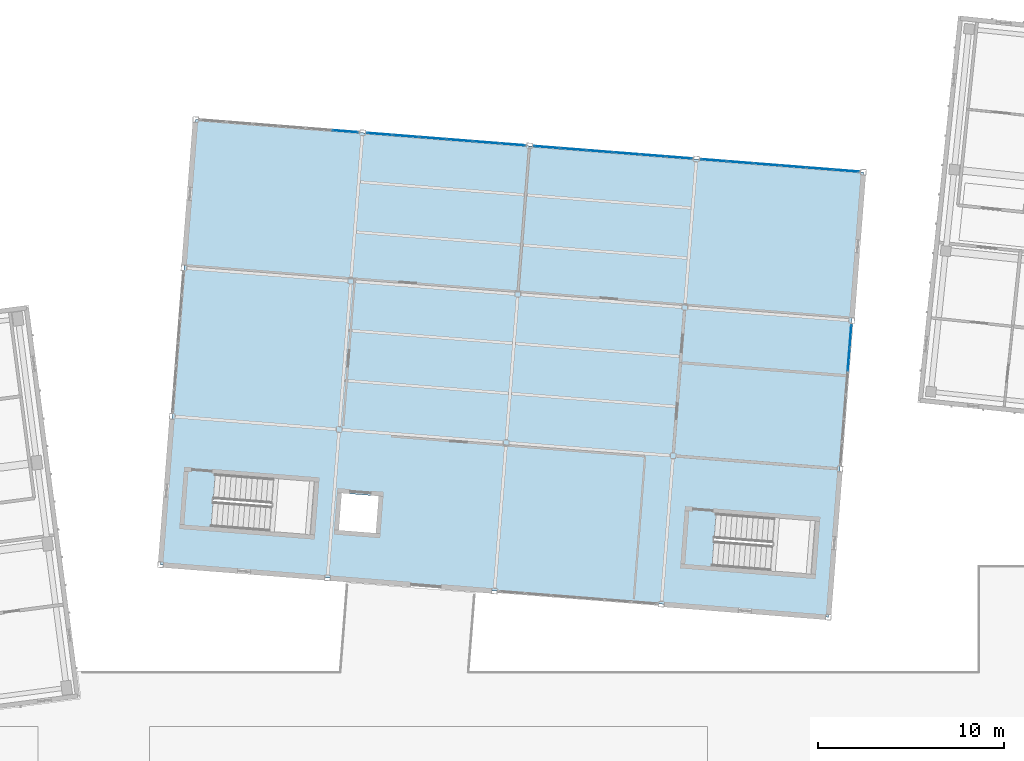
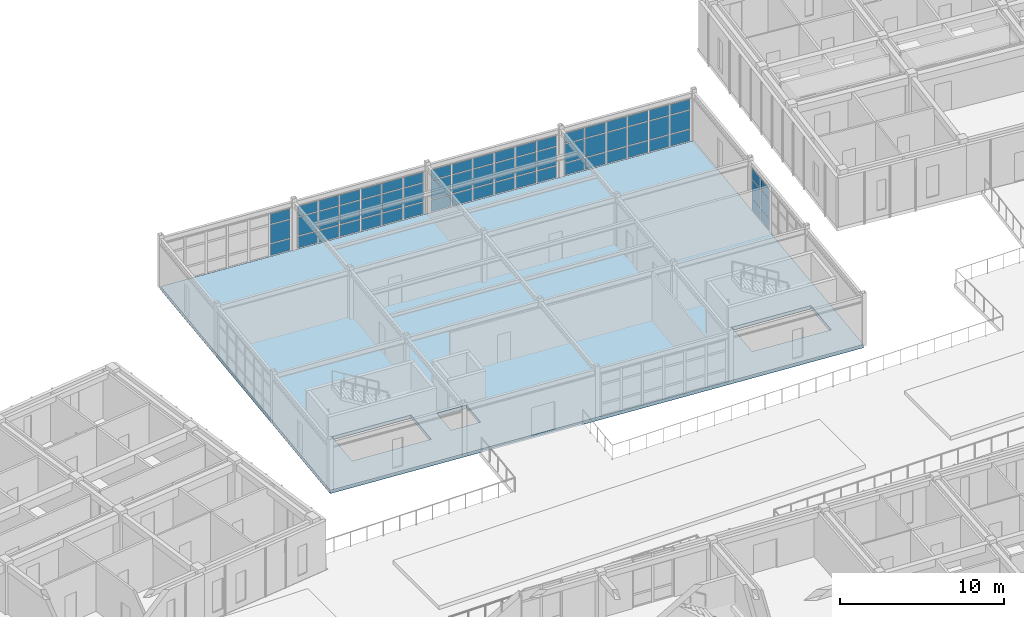
# One storey, part 75 of 150: 63 plates, 1 slab, 5 elements without a shape of their own.
"""IFC4 building model written with IfcOpenShell, lengths in metres."""

from ifc_helpers import new_model, si_unit, direction, frame, origin, origin_2d, place, context, subcontext, project, spatial, polyline, rectangle, outline, extrude, material, layer, layer_set, type_object, element, aggregate, save


model = new_model("IFC4")

# Units and contexts
model_context = context("Model", 3, precision=1e-05, world=origin(), true_north=direction((0.0, 1.0)))
body_context = subcontext(model_context, "Body", "Model", "MODEL_VIEW")
ifc_project = project(units=[si_unit("LENGTHUNIT", "METRE"), si_unit("AREAUNIT", "SQUARE_METRE"), si_unit("VOLUMEUNIT", "CUBIC_METRE"), si_unit("PLANEANGLEUNIT", "RADIAN"), si_unit("MASSUNIT", "GRAM", prefix="KILO")], contexts=[model_context])

# Site, building, storey
site_placement = place(None, origin())
site = spatial("IfcSite", under=ifc_project, at=site_placement, CompositionType="ELEMENT")
building_placement = place(site_placement, origin())
building = spatial("IfcBuilding", under=site, at=building_placement, Name="Kestramere Prow Commons", CompositionType="ELEMENT")
storey_placement = place(building_placement, frame((0.0, 0.0, 4.5)))
storey = spatial("IfcBuildingStorey", under=building, at=storey_placement, Name="L01", CompositionType="ELEMENT", Elevation=4.5)

# Curtain wall, plates
ifc_material_1 = material(Name="Anodised Aluminium and Low-E Glass", Category="aluminium")
curtain_wall_type_1 = type_object("IfcCurtainWallType", Name="CW-15 Glazed Curtain Wall 8600x3230", PredefinedType="USERDEFINED", material=ifc_material_1)
curtain_wall_1_placement = place(storey_placement, origin())
curtain_wall_1 = element("IfcCurtainWall", 1, at=curtain_wall_1_placement, inside=storey, type_object=curtain_wall_type_1, Name="Nursery L01 North Garden Glazing 1", ObjectType="GLAZED CURTAIN WALL", PredefinedType="USERDEFINED")
ifc_material_2 = material(Name="Low-E Laminated Double Glazing", Category="glass")
ifc_layer_1 = layer(ifc_material_2, 0.028076171875)
ifc_layer_set_1 = layer_set([ifc_layer_1], Name="Low-E Laminated Double Glazing")
plate_type = type_object("IfcPlateType", Name="CW-PNL-28", PredefinedType="CURTAIN_PANEL", material=ifc_layer_set_1)
plate_1_placement = place(storey_placement, frame((78.525146484375, 108.79296875, 0.06494140625), z_axis=(0.0, 0.0, 1.0), x_axis=(0.996917335713, -0.078459070568, 0.0)))
plate_1 = element("IfcPlate", 2, at=plate_1_placement, type_object=plate_type, Name="CW-15 panel 6.1", PredefinedType="CURTAIN_PANEL", context=body_context, shape_type="SweptSolid", body=[
    extrude(rectangle(XDim=1.3359375, YDim=0.028076171875, at=origin_2d()), origin(), (0.0, 0.0, 1.0), 0.8525390625),
])
plate_2_placement = place(storey_placement, frame((78.525146484375, 108.79296875, 0.982421875), z_axis=(0.0, 0.0, 1.0), x_axis=(0.996917335713, -0.078459070568, 0.0)))
plate_2 = element("IfcPlate", 3, at=plate_2_placement, type_object=plate_type, Name="CW-15 panel 6.2", PredefinedType="CURTAIN_PANEL", context=body_context, shape_type="SweptSolid", body=[
    extrude(rectangle(XDim=1.3359375, YDim=0.028076171875, at=origin_2d()), origin(), (0.0, 0.0, 1.0), 1.364990234375),
])
plate_3_placement = place(storey_placement, frame((78.525146484375, 108.79296875, 2.41259765625), z_axis=(0.0, 0.0, 1.0), x_axis=(0.996917335713, -0.078459070568, 0.0)))
plate_3 = element("IfcPlate", 4, at=plate_3_placement, type_object=plate_type, Name="CW-15 panel 6.3", PredefinedType="CURTAIN_PANEL", context=body_context, shape_type="SweptSolid", body=[
    extrude(rectangle(XDim=1.3359375, YDim=0.028076171875, at=origin_2d()), origin(), (0.0, 0.0, 1.0), 0.75244140625),
])
aggregate(curtain_wall_1, [plate_1, plate_2, plate_3])

curtain_wall_2_placement = place(storey_placement, origin())
curtain_wall_2 = element("IfcCurtainWall", 5, at=curtain_wall_2_placement, inside=storey, type_object=curtain_wall_type_1, Name="Nursery L01 North Garden Glazing 2", ObjectType="GLAZED CURTAIN WALL", PredefinedType="USERDEFINED")
plate_4_placement = place(storey_placement, frame((80.38525390625, 108.646728515625, 0.06494140625), z_axis=(0.0, 0.0, 1.0), x_axis=(0.996917335713, -0.078459070568, 0.0)))
plate_4 = element("IfcPlate", 6, at=plate_4_placement, type_object=plate_type, Name="CW-15 panel 1.1", PredefinedType="CURTAIN_PANEL", context=body_context, shape_type="SweptSolid", body=[
    extrude(rectangle(XDim=1.3359375, YDim=0.028076171875, at=origin_2d()), origin(), (0.0, 0.0, 1.0), 0.8525390625),
])
plate_5_placement = place(storey_placement, frame((80.38525390625, 108.646728515625, 0.982421875), z_axis=(0.0, 0.0, 1.0), x_axis=(0.996917335713, -0.078459070568, 0.0)))
plate_5 = element("IfcPlate", 7, at=plate_5_placement, type_object=plate_type, Name="CW-15 panel 1.2", PredefinedType="CURTAIN_PANEL", context=body_context, shape_type="SweptSolid", body=[
    extrude(rectangle(XDim=1.3359375, YDim=0.028076171875, at=origin_2d()), origin(), (0.0, 0.0, 1.0), 1.364990234375),
])
plate_6_placement = place(storey_placement, frame((80.38525390625, 108.646728515625, 2.41259765625), z_axis=(0.0, 0.0, 1.0), x_axis=(0.996917335713, -0.078459070568, 0.0)))
plate_6 = element("IfcPlate", 8, at=plate_6_placement, type_object=plate_type, Name="CW-15 panel 1.3", PredefinedType="CURTAIN_PANEL", context=body_context, shape_type="SweptSolid", body=[
    extrude(rectangle(XDim=1.3359375, YDim=0.028076171875, at=origin_2d()), origin(), (0.0, 0.0, 1.0), 0.75244140625),
])
plate_7_placement = place(storey_placement, frame((81.798095703125, 108.535400390625, 0.06494140625), z_axis=(0.0, 0.0, 1.0), x_axis=(0.996917335713, -0.078459070568, 0.0)))
plate_7 = element("IfcPlate", 9, at=plate_7_placement, type_object=plate_type, Name="CW-15 panel 2.1", PredefinedType="CURTAIN_PANEL", context=body_context, shape_type="SweptSolid", body=[
    extrude(rectangle(XDim=1.368408203125, YDim=0.028076171875, at=origin_2d()), origin(), (0.0, 0.0, 1.0), 0.8525390625),
])
plate_8_placement = place(storey_placement, frame((81.798095703125, 108.535400390625, 0.982421875), z_axis=(0.0, 0.0, 1.0), x_axis=(0.996917335713, -0.078459070568, 0.0)))
plate_8 = element("IfcPlate", 10, at=plate_8_placement, type_object=plate_type, Name="CW-15 panel 2.2", PredefinedType="CURTAIN_PANEL", context=body_context, shape_type="SweptSolid", body=[
    extrude(rectangle(XDim=1.368408203125, YDim=0.028076171875, at=origin_2d()), origin(), (0.0, 0.0, 1.0), 1.364990234375),
])
plate_9_placement = place(storey_placement, frame((81.798095703125, 108.535400390625, 2.41259765625), z_axis=(0.0, 0.0, 1.0), x_axis=(0.996917335713, -0.078459070568, 0.0)))
plate_9 = element("IfcPlate", 11, at=plate_9_placement, type_object=plate_type, Name="CW-15 panel 2.3", PredefinedType="CURTAIN_PANEL", context=body_context, shape_type="SweptSolid", body=[
    extrude(rectangle(XDim=1.368408203125, YDim=0.028076171875, at=origin_2d()), origin(), (0.0, 0.0, 1.0), 0.75244140625),
])
plate_10_placement = place(storey_placement, frame((83.22705078125, 108.423095703125, 0.06494140625), z_axis=(0.0, 0.0, 1.0), x_axis=(0.996917335713, -0.078459070568, 0.0)))
plate_10 = element("IfcPlate", 12, at=plate_10_placement, type_object=plate_type, Name="CW-15 panel 3.1", PredefinedType="CURTAIN_PANEL", context=body_context, shape_type="SweptSolid", body=[
    extrude(rectangle(XDim=1.368408203125, YDim=0.028076171875, at=origin_2d()), origin(), (0.0, 0.0, 1.0), 0.8525390625),
])
plate_11_placement = place(storey_placement, frame((83.22705078125, 108.423095703125, 0.982421875), z_axis=(0.0, 0.0, 1.0), x_axis=(0.996917335713, -0.078459070568, 0.0)))
plate_11 = element("IfcPlate", 13, at=plate_11_placement, type_object=plate_type, Name="CW-15 panel 3.2", PredefinedType="CURTAIN_PANEL", context=body_context, shape_type="SweptSolid", body=[
    extrude(rectangle(XDim=1.368408203125, YDim=0.028076171875, at=origin_2d()), origin(), (0.0, 0.0, 1.0), 1.364990234375),
])
plate_12_placement = place(storey_placement, frame((83.22705078125, 108.423095703125, 2.41259765625), z_axis=(0.0, 0.0, 1.0), x_axis=(0.996917335713, -0.078459070568, 0.0)))
plate_12 = element("IfcPlate", 14, at=plate_12_placement, type_object=plate_type, Name="CW-15 panel 3.3", PredefinedType="CURTAIN_PANEL", context=body_context, shape_type="SweptSolid", body=[
    extrude(rectangle(XDim=1.368408203125, YDim=0.028076171875, at=origin_2d()), origin(), (0.0, 0.0, 1.0), 0.75244140625),
])
plate_13_placement = place(storey_placement, frame((84.65576171875, 108.310546875, 0.06494140625), z_axis=(0.0, 0.0, 1.0), x_axis=(0.996917335713, -0.078459070568, 0.0)))
plate_13 = element("IfcPlate", 15, at=plate_13_placement, type_object=plate_type, Name="CW-15 panel 4.1", PredefinedType="CURTAIN_PANEL", context=body_context, shape_type="SweptSolid", body=[
    extrude(rectangle(XDim=1.368408203125, YDim=0.028076171875, at=origin_2d()), origin(), (0.0, 0.0, 1.0), 0.8525390625),
])
plate_14_placement = place(storey_placement, frame((84.65576171875, 108.310546875, 0.982421875), z_axis=(0.0, 0.0, 1.0), x_axis=(0.996917335713, -0.078459070568, 0.0)))
plate_14 = element("IfcPlate", 16, at=plate_14_placement, type_object=plate_type, Name="CW-15 panel 4.2", PredefinedType="CURTAIN_PANEL", context=body_context, shape_type="SweptSolid", body=[
    extrude(rectangle(XDim=1.368408203125, YDim=0.028076171875, at=origin_2d()), origin(), (0.0, 0.0, 1.0), 1.364990234375),
])
plate_15_placement = place(storey_placement, frame((84.65576171875, 108.310546875, 2.41259765625), z_axis=(0.0, 0.0, 1.0), x_axis=(0.996917335713, -0.078459070568, 0.0)))
plate_15 = element("IfcPlate", 17, at=plate_15_placement, type_object=plate_type, Name="CW-15 panel 4.3", PredefinedType="CURTAIN_PANEL", context=body_context, shape_type="SweptSolid", body=[
    extrude(rectangle(XDim=1.368408203125, YDim=0.028076171875, at=origin_2d()), origin(), (0.0, 0.0, 1.0), 0.75244140625),
])
plate_16_placement = place(storey_placement, frame((86.084716796875, 108.1982421875, 0.06494140625), z_axis=(0.0, 0.0, 1.0), x_axis=(0.996917335713, -0.078459070568, 0.0)))
plate_16 = element("IfcPlate", 18, at=plate_16_placement, type_object=plate_type, Name="CW-15 panel 5.1", PredefinedType="CURTAIN_PANEL", context=body_context, shape_type="SweptSolid", body=[
    extrude(rectangle(XDim=1.368408203125, YDim=0.028076171875, at=origin_2d()), origin(), (0.0, 0.0, 1.0), 0.8525390625),
])
plate_17_placement = place(storey_placement, frame((86.084716796875, 108.1982421875, 0.982421875), z_axis=(0.0, 0.0, 1.0), x_axis=(0.996917335713, -0.078459070568, 0.0)))
plate_17 = element("IfcPlate", 19, at=plate_17_placement, type_object=plate_type, Name="CW-15 panel 5.2", PredefinedType="CURTAIN_PANEL", context=body_context, shape_type="SweptSolid", body=[
    extrude(rectangle(XDim=1.368408203125, YDim=0.028076171875, at=origin_2d()), origin(), (0.0, 0.0, 1.0), 1.364990234375),
])
plate_18_placement = place(storey_placement, frame((86.084716796875, 108.1982421875, 2.41259765625), z_axis=(0.0, 0.0, 1.0), x_axis=(0.996917335713, -0.078459070568, 0.0)))
plate_18 = element("IfcPlate", 20, at=plate_18_placement, type_object=plate_type, Name="CW-15 panel 5.3", PredefinedType="CURTAIN_PANEL", context=body_context, shape_type="SweptSolid", body=[
    extrude(rectangle(XDim=1.368408203125, YDim=0.028076171875, at=origin_2d()), origin(), (0.0, 0.0, 1.0), 0.75244140625),
])
plate_19_placement = place(storey_placement, frame((87.49755859375, 108.0869140625, 0.06494140625), z_axis=(0.0, 0.0, 1.0), x_axis=(0.996917335713, -0.078459070568, 0.0)))
plate_19 = element("IfcPlate", 21, at=plate_19_placement, type_object=plate_type, Name="CW-15 panel 6.1", PredefinedType="CURTAIN_PANEL", context=body_context, shape_type="SweptSolid", body=[
    extrude(rectangle(XDim=1.3359375, YDim=0.028076171875, at=origin_2d()), origin(), (0.0, 0.0, 1.0), 0.8525390625),
])
plate_20_placement = place(storey_placement, frame((87.49755859375, 108.0869140625, 0.982421875), z_axis=(0.0, 0.0, 1.0), x_axis=(0.996917335713, -0.078459070568, 0.0)))
plate_20 = element("IfcPlate", 22, at=plate_20_placement, type_object=plate_type, Name="CW-15 panel 6.2", PredefinedType="CURTAIN_PANEL", context=body_context, shape_type="SweptSolid", body=[
    extrude(rectangle(XDim=1.3359375, YDim=0.028076171875, at=origin_2d()), origin(), (0.0, 0.0, 1.0), 1.364990234375),
])
plate_21_placement = place(storey_placement, frame((87.49755859375, 108.0869140625, 2.41259765625), z_axis=(0.0, 0.0, 1.0), x_axis=(0.996917335713, -0.078459070568, 0.0)))
plate_21 = element("IfcPlate", 23, at=plate_21_placement, type_object=plate_type, Name="CW-15 panel 6.3", PredefinedType="CURTAIN_PANEL", context=body_context, shape_type="SweptSolid", body=[
    extrude(rectangle(XDim=1.3359375, YDim=0.028076171875, at=origin_2d()), origin(), (0.0, 0.0, 1.0), 0.75244140625),
])
aggregate(curtain_wall_2, [plate_4, plate_5, plate_6, plate_7, plate_8, plate_9, plate_10, plate_11, plate_12, plate_13, plate_14, plate_15, plate_16, plate_17, plate_18, plate_19, plate_20, plate_21])

curtain_wall_3_placement = place(storey_placement, origin())
curtain_wall_3 = element("IfcCurtainWall", 24, at=curtain_wall_3_placement, inside=storey, type_object=curtain_wall_type_1, Name="Nursery L01 North Garden Glazing 3", ObjectType="GLAZED CURTAIN WALL", PredefinedType="USERDEFINED")
plate_22_placement = place(storey_placement, frame((89.357666015625, 107.940673828125, 0.06494140625), z_axis=(0.0, 0.0, 1.0), x_axis=(0.996917335713, -0.078459070568, 0.0)))
plate_22 = element("IfcPlate", 25, at=plate_22_placement, type_object=plate_type, Name="CW-15 panel 1.1", PredefinedType="CURTAIN_PANEL", context=body_context, shape_type="SweptSolid", body=[
    extrude(rectangle(XDim=1.3359375, YDim=0.028076171875, at=origin_2d()), origin(), (0.0, 0.0, 1.0), 0.8525390625),
])
plate_23_placement = place(storey_placement, frame((89.357666015625, 107.940673828125, 0.982421875), z_axis=(0.0, 0.0, 1.0), x_axis=(0.996917335713, -0.078459070568, 0.0)))
plate_23 = element("IfcPlate", 26, at=plate_23_placement, type_object=plate_type, Name="CW-15 panel 1.2", PredefinedType="CURTAIN_PANEL", context=body_context, shape_type="SweptSolid", body=[
    extrude(rectangle(XDim=1.3359375, YDim=0.028076171875, at=origin_2d()), origin(), (0.0, 0.0, 1.0), 1.364990234375),
])
plate_24_placement = place(storey_placement, frame((89.357666015625, 107.940673828125, 2.41259765625), z_axis=(0.0, 0.0, 1.0), x_axis=(0.996917335713, -0.078459070568, 0.0)))
plate_24 = element("IfcPlate", 27, at=plate_24_placement, type_object=plate_type, Name="CW-15 panel 1.3", PredefinedType="CURTAIN_PANEL", context=body_context, shape_type="SweptSolid", body=[
    extrude(rectangle(XDim=1.3359375, YDim=0.028076171875, at=origin_2d()), origin(), (0.0, 0.0, 1.0), 0.75244140625),
])
plate_25_placement = place(storey_placement, frame((90.770263671875, 107.829345703125, 0.06494140625), z_axis=(0.0, 0.0, 1.0), x_axis=(0.996917335713, -0.078459070568, 0.0)))
plate_25 = element("IfcPlate", 28, at=plate_25_placement, type_object=plate_type, Name="CW-15 panel 2.1", PredefinedType="CURTAIN_PANEL", context=body_context, shape_type="SweptSolid", body=[
    extrude(rectangle(XDim=1.368408203125, YDim=0.028076171875, at=origin_2d()), origin(), (0.0, 0.0, 1.0), 0.8525390625),
])
plate_26_placement = place(storey_placement, frame((90.770263671875, 107.829345703125, 0.982421875), z_axis=(0.0, 0.0, 1.0), x_axis=(0.996917335713, -0.078459070568, 0.0)))
plate_26 = element("IfcPlate", 29, at=plate_26_placement, type_object=plate_type, Name="CW-15 panel 2.2", PredefinedType="CURTAIN_PANEL", context=body_context, shape_type="SweptSolid", body=[
    extrude(rectangle(XDim=1.368408203125, YDim=0.028076171875, at=origin_2d()), origin(), (0.0, 0.0, 1.0), 1.364990234375),
])
plate_27_placement = place(storey_placement, frame((90.770263671875, 107.829345703125, 2.41259765625), z_axis=(0.0, 0.0, 1.0), x_axis=(0.996917335713, -0.078459070568, 0.0)))
plate_27 = element("IfcPlate", 30, at=plate_27_placement, type_object=plate_type, Name="CW-15 panel 2.3", PredefinedType="CURTAIN_PANEL", context=body_context, shape_type="SweptSolid", body=[
    extrude(rectangle(XDim=1.368408203125, YDim=0.028076171875, at=origin_2d()), origin(), (0.0, 0.0, 1.0), 0.75244140625),
])
plate_28_placement = place(storey_placement, frame((92.19921875, 107.716796875, 0.06494140625), z_axis=(0.0, 0.0, 1.0), x_axis=(0.996917335713, -0.078459070568, 0.0)))
plate_28 = element("IfcPlate", 31, at=plate_28_placement, type_object=plate_type, Name="CW-15 panel 3.1", PredefinedType="CURTAIN_PANEL", context=body_context, shape_type="SweptSolid", body=[
    extrude(rectangle(XDim=1.368408203125, YDim=0.028076171875, at=origin_2d()), origin(), (0.0, 0.0, 1.0), 0.8525390625),
])
plate_29_placement = place(storey_placement, frame((92.19921875, 107.716796875, 0.982421875), z_axis=(0.0, 0.0, 1.0), x_axis=(0.996917335713, -0.078459070568, 0.0)))
plate_29 = element("IfcPlate", 32, at=plate_29_placement, type_object=plate_type, Name="CW-15 panel 3.2", PredefinedType="CURTAIN_PANEL", context=body_context, shape_type="SweptSolid", body=[
    extrude(rectangle(XDim=1.368408203125, YDim=0.028076171875, at=origin_2d()), origin(), (0.0, 0.0, 1.0), 1.364990234375),
])
plate_30_placement = place(storey_placement, frame((92.19921875, 107.716796875, 2.41259765625), z_axis=(0.0, 0.0, 1.0), x_axis=(0.996917335713, -0.078459070568, 0.0)))
plate_30 = element("IfcPlate", 33, at=plate_30_placement, type_object=plate_type, Name="CW-15 panel 3.3", PredefinedType="CURTAIN_PANEL", context=body_context, shape_type="SweptSolid", body=[
    extrude(rectangle(XDim=1.368408203125, YDim=0.028076171875, at=origin_2d()), origin(), (0.0, 0.0, 1.0), 0.75244140625),
])
plate_31_placement = place(storey_placement, frame((93.628173828125, 107.6044921875, 0.06494140625), z_axis=(0.0, 0.0, 1.0), x_axis=(0.996917335713, -0.078459070568, 0.0)))
plate_31 = element("IfcPlate", 34, at=plate_31_placement, type_object=plate_type, Name="CW-15 panel 4.1", PredefinedType="CURTAIN_PANEL", context=body_context, shape_type="SweptSolid", body=[
    extrude(rectangle(XDim=1.368408203125, YDim=0.028076171875, at=origin_2d()), origin(), (0.0, 0.0, 1.0), 0.8525390625),
])
plate_32_placement = place(storey_placement, frame((93.628173828125, 107.6044921875, 0.982421875), z_axis=(0.0, 0.0, 1.0), x_axis=(0.996917335713, -0.078459070568, 0.0)))
plate_32 = element("IfcPlate", 35, at=plate_32_placement, type_object=plate_type, Name="CW-15 panel 4.2", PredefinedType="CURTAIN_PANEL", context=body_context, shape_type="SweptSolid", body=[
    extrude(rectangle(XDim=1.368408203125, YDim=0.028076171875, at=origin_2d()), origin(), (0.0, 0.0, 1.0), 1.364990234375),
])
plate_33_placement = place(storey_placement, frame((93.628173828125, 107.6044921875, 2.41259765625), z_axis=(0.0, 0.0, 1.0), x_axis=(0.996917335713, -0.078459070568, 0.0)))
plate_33 = element("IfcPlate", 36, at=plate_33_placement, type_object=plate_type, Name="CW-15 panel 4.3", PredefinedType="CURTAIN_PANEL", context=body_context, shape_type="SweptSolid", body=[
    extrude(rectangle(XDim=1.368408203125, YDim=0.028076171875, at=origin_2d()), origin(), (0.0, 0.0, 1.0), 0.75244140625),
])
plate_34_placement = place(storey_placement, frame((95.05712890625, 107.491943359375, 0.06494140625), z_axis=(0.0, 0.0, 1.0), x_axis=(0.996917335713, -0.078459070568, 0.0)))
plate_34 = element("IfcPlate", 37, at=plate_34_placement, type_object=plate_type, Name="CW-15 panel 5.1", PredefinedType="CURTAIN_PANEL", context=body_context, shape_type="SweptSolid", body=[
    extrude(rectangle(XDim=1.368408203125, YDim=0.028076171875, at=origin_2d()), origin(), (0.0, 0.0, 1.0), 0.8525390625),
])
plate_35_placement = place(storey_placement, frame((95.05712890625, 107.491943359375, 0.982421875), z_axis=(0.0, 0.0, 1.0), x_axis=(0.996917335713, -0.078459070568, 0.0)))
plate_35 = element("IfcPlate", 38, at=plate_35_placement, type_object=plate_type, Name="CW-15 panel 5.2", PredefinedType="CURTAIN_PANEL", context=body_context, shape_type="SweptSolid", body=[
    extrude(rectangle(XDim=1.368408203125, YDim=0.028076171875, at=origin_2d()), origin(), (0.0, 0.0, 1.0), 1.364990234375),
])
plate_36_placement = place(storey_placement, frame((95.05712890625, 107.491943359375, 2.41259765625), z_axis=(0.0, 0.0, 1.0), x_axis=(0.996917335713, -0.078459070568, 0.0)))
plate_36 = element("IfcPlate", 39, at=plate_36_placement, type_object=plate_type, Name="CW-15 panel 5.3", PredefinedType="CURTAIN_PANEL", context=body_context, shape_type="SweptSolid", body=[
    extrude(rectangle(XDim=1.368408203125, YDim=0.028076171875, at=origin_2d()), origin(), (0.0, 0.0, 1.0), 0.75244140625),
])
plate_37_placement = place(storey_placement, frame((96.4697265625, 107.380859375, 0.06494140625), z_axis=(0.0, 0.0, 1.0), x_axis=(0.996917335713, -0.078459070568, 0.0)))
plate_37 = element("IfcPlate", 40, at=plate_37_placement, type_object=plate_type, Name="CW-15 panel 6.1", PredefinedType="CURTAIN_PANEL", context=body_context, shape_type="SweptSolid", body=[
    extrude(rectangle(XDim=1.3359375, YDim=0.028076171875, at=origin_2d()), origin(), (0.0, 0.0, 1.0), 0.8525390625),
])
plate_38_placement = place(storey_placement, frame((96.4697265625, 107.380859375, 0.982421875), z_axis=(0.0, 0.0, 1.0), x_axis=(0.996917335713, -0.078459070568, 0.0)))
plate_38 = element("IfcPlate", 41, at=plate_38_placement, type_object=plate_type, Name="CW-15 panel 6.2", PredefinedType="CURTAIN_PANEL", context=body_context, shape_type="SweptSolid", body=[
    extrude(rectangle(XDim=1.3359375, YDim=0.028076171875, at=origin_2d()), origin(), (0.0, 0.0, 1.0), 1.364990234375),
])
plate_39_placement = place(storey_placement, frame((96.4697265625, 107.380859375, 2.41259765625), z_axis=(0.0, 0.0, 1.0), x_axis=(0.996917335713, -0.078459070568, 0.0)))
plate_39 = element("IfcPlate", 42, at=plate_39_placement, type_object=plate_type, Name="CW-15 panel 6.3", PredefinedType="CURTAIN_PANEL", context=body_context, shape_type="SweptSolid", body=[
    extrude(rectangle(XDim=1.3359375, YDim=0.028076171875, at=origin_2d()), origin(), (0.0, 0.0, 1.0), 0.75244140625),
])
aggregate(curtain_wall_3, [plate_22, plate_23, plate_24, plate_25, plate_26, plate_27, plate_28, plate_29, plate_30, plate_31, plate_32, plate_33, plate_34, plate_35, plate_36, plate_37, plate_38, plate_39])

curtain_wall_4_placement = place(storey_placement, origin())
curtain_wall_4 = element("IfcCurtainWall", 43, at=curtain_wall_4_placement, inside=storey, type_object=curtain_wall_type_1, Name="Nursery L01 North Garden Glazing 4", ObjectType="GLAZED CURTAIN WALL", PredefinedType="USERDEFINED")
plate_40_placement = place(storey_placement, frame((98.329833984375, 107.234375, 0.06494140625), z_axis=(0.0, 0.0, 1.0), x_axis=(0.996917326618, -0.078459186136, 0.0)))
plate_40 = element("IfcPlate", 44, at=plate_40_placement, type_object=plate_type, Name="CW-15 panel 1.1", PredefinedType="CURTAIN_PANEL", context=body_context, shape_type="SweptSolid", body=[
    extrude(rectangle(XDim=1.3359375, YDim=0.028076171875, at=origin_2d()), origin(), (0.0, 0.0, 1.0), 0.8525390625),
])
plate_41_placement = place(storey_placement, frame((98.329833984375, 107.234375, 0.982421875), z_axis=(0.0, 0.0, 1.0), x_axis=(0.996917326618, -0.078459186136, 0.0)))
plate_41 = element("IfcPlate", 45, at=plate_41_placement, type_object=plate_type, Name="CW-15 panel 1.2", PredefinedType="CURTAIN_PANEL", context=body_context, shape_type="SweptSolid", body=[
    extrude(rectangle(XDim=1.3359375, YDim=0.028076171875, at=origin_2d()), origin(), (0.0, 0.0, 1.0), 1.364990234375),
])
plate_42_placement = place(storey_placement, frame((98.329833984375, 107.234375, 2.41259765625), z_axis=(0.0, 0.0, 1.0), x_axis=(0.996917326618, -0.078459186136, 0.0)))
plate_42 = element("IfcPlate", 46, at=plate_42_placement, type_object=plate_type, Name="CW-15 panel 1.3", PredefinedType="CURTAIN_PANEL", context=body_context, shape_type="SweptSolid", body=[
    extrude(rectangle(XDim=1.3359375, YDim=0.028076171875, at=origin_2d()), origin(), (0.0, 0.0, 1.0), 0.75244140625),
])
plate_43_placement = place(storey_placement, frame((99.742431640625, 107.123291015625, 0.06494140625), z_axis=(0.0, 0.0, 1.0), x_axis=(0.996917326618, -0.078459186136, 0.0)))
plate_43 = element("IfcPlate", 47, at=plate_43_placement, type_object=plate_type, Name="CW-15 panel 2.1", PredefinedType="CURTAIN_PANEL", context=body_context, shape_type="SweptSolid", body=[
    extrude(rectangle(XDim=1.368408203125, YDim=0.028076171875, at=origin_2d()), origin(), (0.0, 0.0, 1.0), 0.8525390625),
])
plate_44_placement = place(storey_placement, frame((99.742431640625, 107.123291015625, 0.982421875), z_axis=(0.0, 0.0, 1.0), x_axis=(0.996917326618, -0.078459186136, 0.0)))
plate_44 = element("IfcPlate", 48, at=plate_44_placement, type_object=plate_type, Name="CW-15 panel 2.2", PredefinedType="CURTAIN_PANEL", context=body_context, shape_type="SweptSolid", body=[
    extrude(rectangle(XDim=1.368408203125, YDim=0.028076171875, at=origin_2d()), origin(), (0.0, 0.0, 1.0), 1.364990234375),
])
plate_45_placement = place(storey_placement, frame((99.742431640625, 107.123291015625, 2.41259765625), z_axis=(0.0, 0.0, 1.0), x_axis=(0.996917326618, -0.078459186136, 0.0)))
plate_45 = element("IfcPlate", 49, at=plate_45_placement, type_object=plate_type, Name="CW-15 panel 2.3", PredefinedType="CURTAIN_PANEL", context=body_context, shape_type="SweptSolid", body=[
    extrude(rectangle(XDim=1.368408203125, YDim=0.028076171875, at=origin_2d()), origin(), (0.0, 0.0, 1.0), 0.75244140625),
])
plate_46_placement = place(storey_placement, frame((101.17138671875, 107.0107421875, 0.06494140625), z_axis=(0.0, 0.0, 1.0), x_axis=(0.996917326618, -0.078459186136, 0.0)))
plate_46 = element("IfcPlate", 50, at=plate_46_placement, type_object=plate_type, Name="CW-15 panel 3.1", PredefinedType="CURTAIN_PANEL", context=body_context, shape_type="SweptSolid", body=[
    extrude(rectangle(XDim=1.368408203125, YDim=0.028076171875, at=origin_2d()), origin(), (0.0, 0.0, 1.0), 0.8525390625),
])
plate_47_placement = place(storey_placement, frame((101.17138671875, 107.0107421875, 0.982421875), z_axis=(0.0, 0.0, 1.0), x_axis=(0.996917326618, -0.078459186136, 0.0)))
plate_47 = element("IfcPlate", 51, at=plate_47_placement, type_object=plate_type, Name="CW-15 panel 3.2", PredefinedType="CURTAIN_PANEL", context=body_context, shape_type="SweptSolid", body=[
    extrude(rectangle(XDim=1.368408203125, YDim=0.028076171875, at=origin_2d()), origin(), (0.0, 0.0, 1.0), 1.364990234375),
])
plate_48_placement = place(storey_placement, frame((101.17138671875, 107.0107421875, 2.41259765625), z_axis=(0.0, 0.0, 1.0), x_axis=(0.996917326618, -0.078459186136, 0.0)))
plate_48 = element("IfcPlate", 52, at=plate_48_placement, type_object=plate_type, Name="CW-15 panel 3.3", PredefinedType="CURTAIN_PANEL", context=body_context, shape_type="SweptSolid", body=[
    extrude(rectangle(XDim=1.368408203125, YDim=0.028076171875, at=origin_2d()), origin(), (0.0, 0.0, 1.0), 0.75244140625),
])
plate_49_placement = place(storey_placement, frame((102.600341796875, 106.8984375, 0.06494140625), z_axis=(0.0, 0.0, 1.0), x_axis=(0.996917326618, -0.078459186136, 0.0)))
plate_49 = element("IfcPlate", 53, at=plate_49_placement, type_object=plate_type, Name="CW-15 panel 4.1", PredefinedType="CURTAIN_PANEL", context=body_context, shape_type="SweptSolid", body=[
    extrude(rectangle(XDim=1.368408203125, YDim=0.028076171875, at=origin_2d()), origin(), (0.0, 0.0, 1.0), 0.8525390625),
])
plate_50_placement = place(storey_placement, frame((102.600341796875, 106.8984375, 0.982421875), z_axis=(0.0, 0.0, 1.0), x_axis=(0.996917326618, -0.078459186136, 0.0)))
plate_50 = element("IfcPlate", 54, at=plate_50_placement, type_object=plate_type, Name="CW-15 panel 4.2", PredefinedType="CURTAIN_PANEL", context=body_context, shape_type="SweptSolid", body=[
    extrude(rectangle(XDim=1.368408203125, YDim=0.028076171875, at=origin_2d()), origin(), (0.0, 0.0, 1.0), 1.364990234375),
])
plate_51_placement = place(storey_placement, frame((102.600341796875, 106.8984375, 2.41259765625), z_axis=(0.0, 0.0, 1.0), x_axis=(0.996917326618, -0.078459186136, 0.0)))
plate_51 = element("IfcPlate", 55, at=plate_51_placement, type_object=plate_type, Name="CW-15 panel 4.3", PredefinedType="CURTAIN_PANEL", context=body_context, shape_type="SweptSolid", body=[
    extrude(rectangle(XDim=1.368408203125, YDim=0.028076171875, at=origin_2d()), origin(), (0.0, 0.0, 1.0), 0.75244140625),
])
plate_52_placement = place(storey_placement, frame((104.029296875, 106.785888671875, 0.06494140625), z_axis=(0.0, 0.0, 1.0), x_axis=(0.996917326618, -0.078459186136, 0.0)))
plate_52 = element("IfcPlate", 56, at=plate_52_placement, type_object=plate_type, Name="CW-15 panel 5.1", PredefinedType="CURTAIN_PANEL", context=body_context, shape_type="SweptSolid", body=[
    extrude(rectangle(XDim=1.368408203125, YDim=0.028076171875, at=origin_2d()), origin(), (0.0, 0.0, 1.0), 0.8525390625),
])
plate_53_placement = place(storey_placement, frame((104.029296875, 106.785888671875, 0.982421875), z_axis=(0.0, 0.0, 1.0), x_axis=(0.996917326618, -0.078459186136, 0.0)))
plate_53 = element("IfcPlate", 57, at=plate_53_placement, type_object=plate_type, Name="CW-15 panel 5.2", PredefinedType="CURTAIN_PANEL", context=body_context, shape_type="SweptSolid", body=[
    extrude(rectangle(XDim=1.368408203125, YDim=0.028076171875, at=origin_2d()), origin(), (0.0, 0.0, 1.0), 1.364990234375),
])
plate_54_placement = place(storey_placement, frame((104.029296875, 106.785888671875, 2.41259765625), z_axis=(0.0, 0.0, 1.0), x_axis=(0.996917326618, -0.078459186136, 0.0)))
plate_54 = element("IfcPlate", 58, at=plate_54_placement, type_object=plate_type, Name="CW-15 panel 5.3", PredefinedType="CURTAIN_PANEL", context=body_context, shape_type="SweptSolid", body=[
    extrude(rectangle(XDim=1.368408203125, YDim=0.028076171875, at=origin_2d()), origin(), (0.0, 0.0, 1.0), 0.75244140625),
])
plate_55_placement = place(storey_placement, frame((105.44189453125, 106.6748046875, 0.06494140625), z_axis=(0.0, 0.0, 1.0), x_axis=(0.996917326618, -0.078459186136, 0.0)))
plate_55 = element("IfcPlate", 59, at=plate_55_placement, type_object=plate_type, Name="CW-15 panel 6.1", PredefinedType="CURTAIN_PANEL", context=body_context, shape_type="SweptSolid", body=[
    extrude(rectangle(XDim=1.3359375, YDim=0.028076171875, at=origin_2d()), origin(), (0.0, 0.0, 1.0), 0.8525390625),
])
plate_56_placement = place(storey_placement, frame((105.44189453125, 106.6748046875, 0.982421875), z_axis=(0.0, 0.0, 1.0), x_axis=(0.996917326618, -0.078459186136, 0.0)))
plate_56 = element("IfcPlate", 60, at=plate_56_placement, type_object=plate_type, Name="CW-15 panel 6.2", PredefinedType="CURTAIN_PANEL", context=body_context, shape_type="SweptSolid", body=[
    extrude(rectangle(XDim=1.3359375, YDim=0.028076171875, at=origin_2d()), origin(), (0.0, 0.0, 1.0), 1.364990234375),
])
plate_57_placement = place(storey_placement, frame((105.44189453125, 106.6748046875, 2.41259765625), z_axis=(0.0, 0.0, 1.0), x_axis=(0.996917326618, -0.078459186136, 0.0)))
plate_57 = element("IfcPlate", 61, at=plate_57_placement, type_object=plate_type, Name="CW-15 panel 6.3", PredefinedType="CURTAIN_PANEL", context=body_context, shape_type="SweptSolid", body=[
    extrude(rectangle(XDim=1.3359375, YDim=0.028076171875, at=origin_2d()), origin(), (0.0, 0.0, 1.0), 0.75244140625),
])
aggregate(curtain_wall_4, [plate_40, plate_41, plate_42, plate_43, plate_44, plate_45, plate_46, plate_47, plate_48, plate_49, plate_50, plate_51, plate_52, plate_53, plate_54, plate_55, plate_56, plate_57])

curtain_wall_type_2 = type_object("IfcCurtainWallType", Name="CW-16 Glazed Curtain Wall 7600x3230", PredefinedType="USERDEFINED", material=ifc_material_1)
curtain_wall_5_placement = place(storey_placement, origin())
curtain_wall_5 = element("IfcCurtainWall", 62, at=curtain_wall_5_placement, inside=storey, type_object=curtain_wall_type_2, Name="Nursery L01 E End Glazing", ObjectType="GLAZED CURTAIN WALL", PredefinedType="USERDEFINED")
plate_58_placement = place(storey_placement, frame((105.677734375, 97.779296875, 0.06494140625), z_axis=(0.0, 0.0, 1.0), x_axis=(-0.078459086628, -0.996917334449, 0.0)))
plate_58 = element("IfcPlate", 63, at=plate_58_placement, type_object=plate_type, Name="CW-16 panel 1.1", PredefinedType="CURTAIN_PANEL", context=body_context, shape_type="SweptSolid", body=[
    extrude(rectangle(XDim=1.169189453125, YDim=0.028076171875, at=origin_2d()), origin(), (0.0, 0.0, 1.0), 0.8525390625),
])
plate_59_placement = place(storey_placement, frame((105.677734375, 97.779296875, 0.982421875), z_axis=(0.0, 0.0, 1.0), x_axis=(-0.078459086628, -0.996917334449, 0.0)))
plate_59 = element("IfcPlate", 64, at=plate_59_placement, type_object=plate_type, Name="CW-16 panel 1.2", PredefinedType="CURTAIN_PANEL", context=body_context, shape_type="SweptSolid", body=[
    extrude(rectangle(XDim=1.169189453125, YDim=0.028076171875, at=origin_2d()), origin(), (0.0, 0.0, 1.0), 1.364990234375),
])
plate_60_placement = place(storey_placement, frame((105.677734375, 97.779296875, 2.41259765625), z_axis=(0.0, 0.0, 1.0), x_axis=(-0.078459086628, -0.996917334449, 0.0)))
plate_60 = element("IfcPlate", 65, at=plate_60_placement, type_object=plate_type, Name="CW-16 panel 1.3", PredefinedType="CURTAIN_PANEL", context=body_context, shape_type="SweptSolid", body=[
    extrude(rectangle(XDim=1.169189453125, YDim=0.028076171875, at=origin_2d()), origin(), (0.0, 0.0, 1.0), 0.75244140625),
])
plate_61_placement = place(storey_placement, frame((105.57958984375, 96.53271484375, 0.06494140625), z_axis=(0.0, 0.0, 1.0), x_axis=(-0.078459086628, -0.996917334449, 0.0)))
plate_61 = element("IfcPlate", 66, at=plate_61_placement, type_object=plate_type, Name="CW-16 panel 2.1", PredefinedType="CURTAIN_PANEL", context=body_context, shape_type="SweptSolid", body=[
    extrude(rectangle(XDim=1.20166015625, YDim=0.028076171875, at=origin_2d()), origin(), (0.0, 0.0, 1.0), 0.8525390625),
])
plate_62_placement = place(storey_placement, frame((105.57958984375, 96.53271484375, 0.982421875), z_axis=(0.0, 0.0, 1.0), x_axis=(-0.078459086628, -0.996917334449, 0.0)))
plate_62 = element("IfcPlate", 67, at=plate_62_placement, type_object=plate_type, Name="CW-16 panel 2.2", PredefinedType="CURTAIN_PANEL", context=body_context, shape_type="SweptSolid", body=[
    extrude(rectangle(XDim=1.20166015625, YDim=0.028076171875, at=origin_2d()), origin(), (0.0, 0.0, 1.0), 1.364990234375),
])
plate_63_placement = place(storey_placement, frame((105.57958984375, 96.53271484375, 2.41259765625), z_axis=(0.0, 0.0, 1.0), x_axis=(-0.078459086628, -0.996917334449, 0.0)))
plate_63 = element("IfcPlate", 68, at=plate_63_placement, type_object=plate_type, Name="CW-16 panel 2.3", PredefinedType="CURTAIN_PANEL", context=body_context, shape_type="SweptSolid", body=[
    extrude(rectangle(XDim=1.20166015625, YDim=0.028076171875, at=origin_2d()), origin(), (0.0, 0.0, 1.0), 0.75244140625),
])
aggregate(curtain_wall_5, [plate_58, plate_59, plate_60, plate_61, plate_62, plate_63])

# Slab
ifc_material_3 = material(Name="Precast concrete C40/50", Category="concrete")
ifc_layer_2 = layer(ifc_material_3, 0.25)
ifc_layer_set_2 = layer_set([ifc_layer_2], Name="Precast concrete C40/50")
slab_type = type_object("IfcSlabType", Name="SL-HC-250", PredefinedType="FLOOR", material=ifc_layer_set_2)
slab_placement = place(storey_placement, frame((0.0, 0.0, -0.25)))
element("IfcSlab", 69, at=slab_placement, inside=storey, type_object=slab_type, Name="Nursery L01 Floor Slab", PredefinedType="FLOOR", context=body_context, shape_type="SweptSolid", body=[
    extrude(outline(polyline([(68.60009765625, 85.5), (104.489013671875, 82.675537109375), (106.3720703125, 106.6015625), (70.48291015625, 109.426025390625), (68.60009765625, 85.5)]), holes=[polyline([(78.175048828125, 87.3544921875), (80.1689453125, 87.197509765625), (80.32568359375, 89.19140625), (78.33203125, 89.348388671875), (78.175048828125, 87.3544921875)]), polyline([(71.318603515625, 87.54296875), (76.652099609375, 87.123291015625), (76.875732421875, 89.96435546875), (71.542236328125, 90.38427734375), (71.318603515625, 87.54296875)]), polyline([(98.2353515625, 85.424560546875), (103.56884765625, 85.0048828125), (103.79248046875, 87.845947265625), (98.458984375, 88.265869140625), (98.2353515625, 85.424560546875)])]), origin(), (0.0, 0.0, 1.0), 0.25),
])

save(model, "model.ifc")
